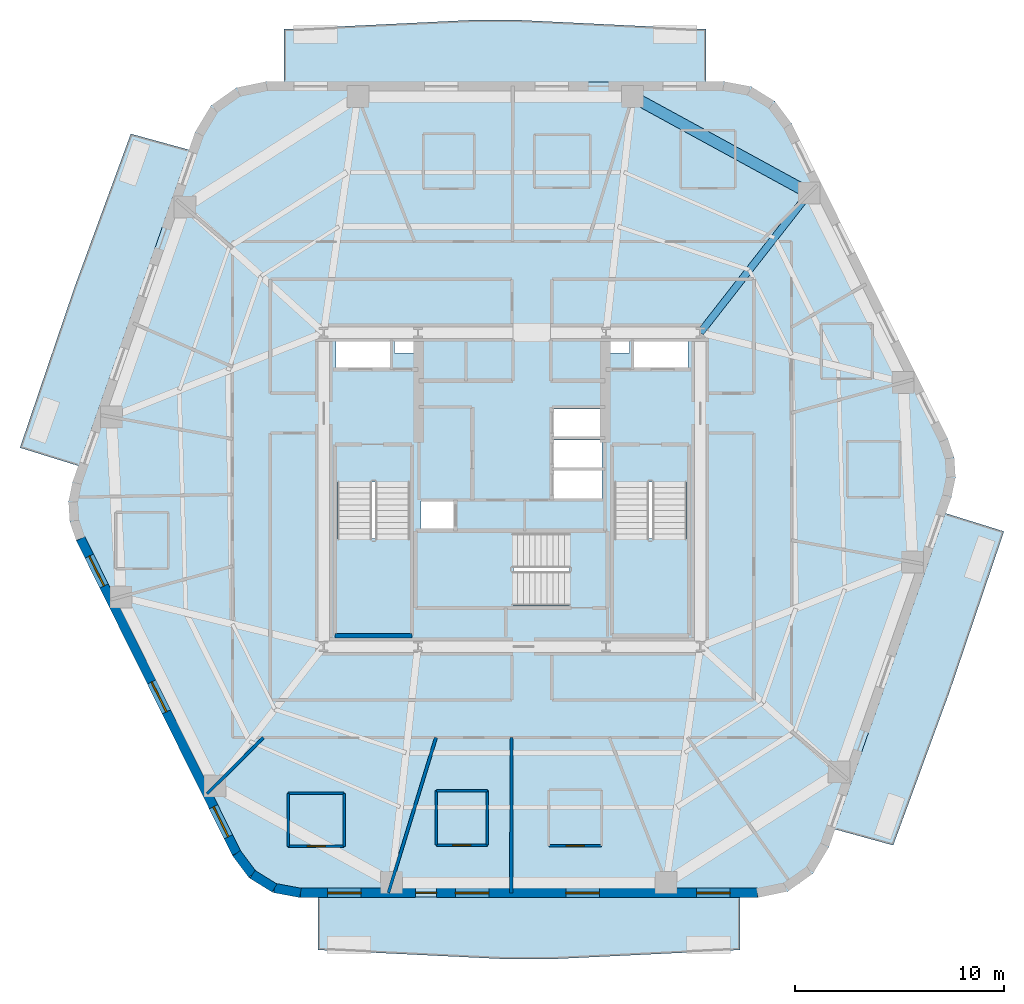
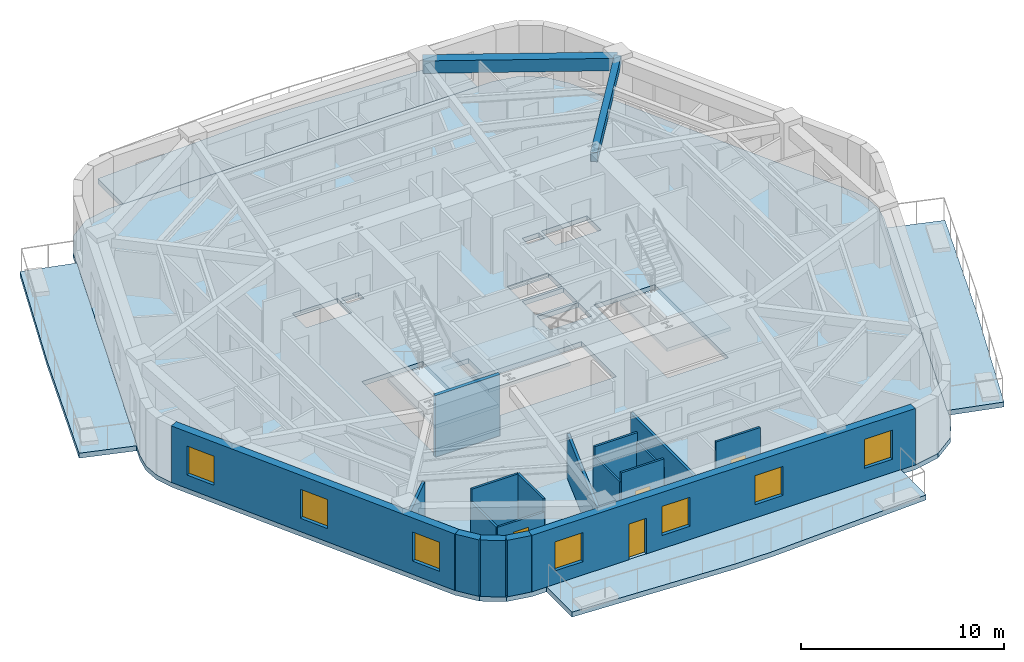
# One storey, part 2 of 11: 18 walls, 8 slabs, 7 windows, 4 doors, 2 beams, 11 openings, 3 elements without a shape of their own.
"""IFC4 building model written with IfcOpenShell, lengths in metres."""

from ifc_helpers import new_model, si_unit, direction, frame, frame_2d, origin, origin_2d, place, context, subcontext, project, spatial, polyline, rectangle, outline, extrude, material, layer, layer_set, material_profile, profile_set, type_object, element, fill, aggregate, save


model = new_model("IFC4")

# Units and contexts
model_context = context("Model", 3, precision=1e-05, world=origin(), true_north=direction((0.0, 1.0)))
body_context = subcontext(model_context, "Body", "Model", "MODEL_VIEW")
ifc_project = project(units=[si_unit("LENGTHUNIT", "METRE"), si_unit("AREAUNIT", "SQUARE_METRE"), si_unit("VOLUMEUNIT", "CUBIC_METRE"), si_unit("PLANEANGLEUNIT", "RADIAN"), si_unit("MASSUNIT", "GRAM", prefix="KILO")], contexts=[model_context])

# Site, building, storey
site_placement = place(None, origin())
site = spatial("IfcSite", under=ifc_project, at=site_placement, CompositionType="ELEMENT")
building_placement = place(site_placement, origin())
building = spatial("IfcBuilding", under=site, at=building_placement, Name="Kilnhurst Terrace Hotel", CompositionType="ELEMENT")
storey_placement = place(building_placement, frame((0.0, 0.0, 162.800048828125)))
storey = spatial("IfcBuildingStorey", under=building, at=storey_placement, Name="L40", CompositionType="ELEMENT", Elevation=162.800048828125)

# Beams
ifc_material_1 = material(Name="Concrete C50/60", Category="concrete")
ifc_material_profile_1 = material_profile(ifc_material_1, rectangle(XDim=0.35009765625, YDim=0.550048828125, at=origin_2d()), Name="RC350X550")
ifc_profile_set_1 = profile_set([ifc_material_profile_1], Name="Concrete C50/60")
beam_type_1 = type_object("IfcBeamType", Name="BM-RAD-350X550", PredefinedType="BEAM", material=ifc_profile_set_1)
beam_1_placement = place(storey_placement, frame((9.0, 7.5, 3.125), z_axis=(0.615370616457, 0.78823791104, 0.0), x_axis=(-0.78823791104, 0.615370616457, 0.0)))
element("IfcBeam", 1, at=beam_1_placement, inside=storey, type_object=beam_type_1, Name="L40 Radial Floor Beam 6", PredefinedType="BEAM", context=body_context, shape_type="SweptSolid", body=[
    extrude(rectangle(XDim=0.35009765625, YDim=0.550048828125, at=origin_2d()), origin(), (0.0, 0.0, 1.0), 8.456787109375),
])
ifc_material_profile_2 = material_profile(ifc_material_1, rectangle(XDim=0.550048828125, YDim=0.75, at=origin_2d()), Name="RC550X750")
ifc_profile_set_2 = profile_set([ifc_material_profile_2], Name="Concrete C50/60")
beam_type_2 = type_object("IfcBeamType", Name="BM-SPN-550X750", PredefinedType="SPANDREL", material=ifc_profile_set_2)
beam_2_placement = place(storey_placement, frame((14.2041015625, 14.166015625, 3.02490234375), z_axis=(-0.87766189723, 0.479280287672, 0.0), x_axis=(-0.479280287672, -0.87766189723, 0.0)))
element("IfcBeam", 2, at=beam_2_placement, inside=storey, type_object=beam_type_2, Name="L40 Perimeter Spandrel Beam 6", PredefinedType="SPANDREL", context=body_context, shape_type="SweptSolid", body=[
    extrude(rectangle(XDim=0.550048828125, YDim=0.75, at=origin_2d()), origin(), (0.0, 0.0, 1.0), 9.626953125),
])

# Slabs
ifc_layer_1 = layer(ifc_material_1, 0.300048828125, Name="Concrete C50/60")
ifc_layer_set_1 = layer_set([ifc_layer_1], Name="Concrete C50/60")
slab_type_1 = type_object("IfcSlabType", Name="SLB-BAL-300", PredefinedType="FLOOR", material=ifc_layer_set_1)
slab_1_placement = place(storey_placement, frame((0.0, 0.0, -0.300048828125)))
element("IfcSlab", 3, at=slab_1_placement, inside=storey, type_object=slab_type_1, Name="L40 Cantilevered Planted Terrace Slab BAL-L1A", PredefinedType="FLOOR", context=body_context, shape_type="SweptSolid", body=[
    extrude(outline(polyline([(1.83642578125, -22.43994140625), (-0.221923828125, -22.43994140625), (-9.279296875, -22.0), (-9.279296875, -19.47998046875), (10.8935546875, -19.47998046875), (10.8935546875, -22.0), (1.83642578125, -22.43994140625)])), origin(), (0.0, 0.0, 1.0), 0.300048828125),
])
slab_2_placement = place(storey_placement, frame((0.0, 0.0, -0.300048828125)))
element("IfcSlab", 4, at=slab_2_placement, inside=storey, type_object=slab_type_1, Name="L40 Cantilevered Planted Terrace Slab BAL-L1B", PredefinedType="FLOOR", context=body_context, shape_type="SweptSolid", body=[
    extrude(outline(polyline([(18.216064453125, -17.0), (15.420654296875, -16.2314453125), (20.708251953125, -1.128662109375), (23.511962890625, -2.0), (20.892333984375, -9.7119140625), (18.216064453125, -17.0)])), origin(), (0.0, 0.0, 1.0), 0.300048828125),
])
slab_3_placement = place(storey_placement, frame((0.0, 0.0, -0.300048828125)))
element("IfcSlab", 5, at=slab_3_placement, inside=storey, type_object=slab_type_1, Name="L40 Cantilevered Planted Terrace Slab BAL-L2A", PredefinedType="FLOOR", context=body_context, shape_type="SweptSolid", body=[
    extrude(outline(polyline([(0.221923828125, 22.43994140625), (9.279296875, 22.0), (9.279296875, 19.47998046875), (-10.8935546875, 19.47998046875), (-10.8935546875, 22.0), (-1.83642578125, 22.43994140625), (0.221923828125, 22.43994140625)])), origin(), (0.0, 0.0, 1.0), 0.300048828125),
])
slab_4_placement = place(storey_placement, frame((0.0, 0.0, -0.300048828125)))
element("IfcSlab", 6, at=slab_4_placement, inside=storey, type_object=slab_type_1, Name="L40 Cantilevered Planted Terrace Slab BAL-L2B", PredefinedType="FLOOR", context=body_context, shape_type="SweptSolid", body=[
    extrude(outline(polyline([(-18.216064453125, 17.0), (-15.420654296875, 16.2314453125), (-20.708251953125, 1.128662109375), (-23.511962890625, 2.0), (-20.892333984375, 9.7119140625), (-18.216064453125, 17.0)])), origin(), (0.0, 0.0, 1.0), 0.300048828125),
])
ifc_layer_2 = layer(ifc_material_1, 0.280029296875, Name="Concrete C50/60")
ifc_layer_set_2 = layer_set([ifc_layer_2], Name="Concrete C50/60")
slab_type_2 = type_object("IfcSlabType", Name="SLB-FLR-280", PredefinedType="FLOOR", material=ifc_layer_set_2)
slab_5_placement = place(storey_placement, frame((0.0, 0.0, -0.280029296875)))
element("IfcSlab", 7, at=slab_5_placement, inside=storey, type_object=slab_type_2, Name="L40 Structural Floor Slab", PredefinedType="FLOOR", context=body_context, shape_type="SweptSolid", body=[
    extrude(outline(polyline([(-13.3544921875, -17.499267578125), (-12.5576171875, -18.5576171875), (-11.431640625, -19.256103515625), (-10.12939453125, -19.5), (11.74365234375, -19.5), (13.18310546875, -19.19970703125), (14.38232421875, -18.348876953125), (15.141357421875, -17.089599609375), (20.9990234375, -0.3583984375), (21.192138671875, 0.57568359375), (21.13330078125, 1.527587890625), (20.82666015625, 2.4306640625), (13.3544921875, 17.499267578125), (12.5576171875, 18.5576171875), (11.431640625, 19.256103515625), (10.12939453125, 19.5), (-11.74365234375, 19.5), (-13.18310546875, 19.19970703125), (-14.38232421875, 18.348876953125), (-15.141357421875, 17.089599609375), (-20.9990234375, 0.3583984375), (-21.192138671875, -0.57568359375), (-21.13330078125, -1.527587890625), (-20.82666015625, -2.4306640625), (-13.3544921875, -17.499267578125)]), holes=[polyline([(2.7548828125, -2.080078125), (2.7548828125, -5.550048828125), (-4.5, -5.550048828125), (-4.5, -2.080078125), (2.7548828125, -2.080078125)]), polyline([(-8.35009765625, 0.35498046875), (-4.8798828125, 0.35498046875), (-4.8798828125, -6.89990234375), (-8.35009765625, -6.89990234375), (-8.35009765625, 0.35498046875)]), polyline([(-2.800048828125, -1.89990234375), (-4.35009765625, -1.89990234375), (-4.35009765625, -0.550048828125), (-2.800048828125, -0.550048828125), (-2.800048828125, -1.89990234375)]), polyline([(1.949951171875, -0.429931640625), (1.949951171875, 0.89990234375), (4.300048828125, 0.89990234375), (4.300048828125, -0.429931640625), (1.949951171875, -0.429931640625)]), polyline([(-8.39990234375, 5.75), (-8.39990234375, 7.14990234375), (-5.800048828125, 7.14990234375), (-5.800048828125, 5.75), (-8.39990234375, 5.75)]), polyline([(-4.659912109375, 6.52001953125), (-5.6201171875, 6.52001953125), (-5.6201171875, 7.080078125), (-4.659912109375, 7.080078125), (-4.659912109375, 6.52001953125)]), polyline([(8.35009765625, 0.35498046875), (8.35009765625, -6.89990234375), (4.8798828125, -6.89990234375), (4.8798828125, 0.35498046875), (8.35009765625, 0.35498046875)]), polyline([(1.949951171875, 1.050048828125), (1.949951171875, 2.3798828125), (4.300048828125, 2.3798828125), (4.300048828125, 1.050048828125), (1.949951171875, 1.050048828125)]), polyline([(4.300048828125, 2.530029296875), (1.949951171875, 2.530029296875), (1.949951171875, 3.860107421875), (4.300048828125, 3.860107421875), (4.300048828125, 2.530029296875)]), polyline([(5.800048828125, 5.75), (5.800048828125, 7.14990234375), (8.39990234375, 7.14990234375), (8.39990234375, 5.75), (5.800048828125, 5.75)]), polyline([(4.659912109375, 6.52001953125), (4.659912109375, 7.080078125), (5.6201171875, 7.080078125), (5.6201171875, 6.52001953125), (4.659912109375, 6.52001953125)])]), origin(), (0.0, 0.0, 1.0), 0.280029296875),
])

# Stair, slab
stair_type = type_object("IfcStairType", Name="STR-CORE-1660", PredefinedType="HALF_TURN_STAIR", material=ifc_material_1)
stair_1_placement = place(storey_placement, origin())
stair_1 = element("IfcStair", 8, at=stair_1_placement, inside=storey, type_object=stair_type, Name="L40 ST-1", PredefinedType="HALF_TURN_STAIR")
ifc_layer_3 = layer(ifc_material_1, 0.199951171875, Name="Concrete C50/60")
ifc_layer_set_3 = layer_set([ifc_layer_3], Name="Concrete C50/60")
slab_type_3 = type_object("IfcSlabType", Name="SLB-ST-LND-200", PredefinedType="LANDING", material=ifc_layer_set_3)
slab_6_placement = place(storey_placement, frame((0.0, 0.0, 1.64990234375)))
slab_6 = element("IfcSlab", 9, at=slab_6_placement, type_object=slab_type_3, Name="ST-1 landing 1", PredefinedType="LANDING", context=body_context, shape_type="SweptSolid", body=[
    extrude(outline(polyline([(-8.429931640625, -2.330078125), (-4.800048828125, -2.330078125), (-4.800048828125, -6.97998046875), (-8.429931640625, -6.97998046875), (-8.429931640625, -2.330078125)])), origin(), (0.0, 0.0, 1.0), 0.199951171875),
])
aggregate(stair_1, [slab_6])

stair_2_placement = place(storey_placement, origin())
stair_2 = element("IfcStair", 10, at=stair_2_placement, inside=storey, type_object=stair_type, Name="L40 ST-2", PredefinedType="HALF_TURN_STAIR")
slab_7_placement = place(storey_placement, frame((0.0, 0.0, 1.64990234375)))
slab_7 = element("IfcSlab", 11, at=slab_7_placement, type_object=slab_type_3, Name="ST-2 landing 1", PredefinedType="LANDING", context=body_context, shape_type="SweptSolid", body=[
    extrude(outline(polyline([(4.800048828125, -2.330078125), (8.429931640625, -2.330078125), (8.429931640625, -6.97998046875), (4.800048828125, -6.97998046875), (4.800048828125, -2.330078125)])), origin(), (0.0, 0.0, 1.0), 0.199951171875),
])
aggregate(stair_2, [slab_7])

stair_3_placement = place(storey_placement, origin())
stair_3 = element("IfcStair", 12, at=stair_3_placement, inside=storey, type_object=stair_type, Name="L40 ST-3", PredefinedType="HALF_TURN_STAIR")
slab_8_placement = place(storey_placement, frame((0.0, 0.0, 1.64990234375)))
slab_8 = element("IfcSlab", 13, at=slab_8_placement, type_object=slab_type_3, Name="ST-3 landing 1", PredefinedType="LANDING", context=body_context, shape_type="SweptSolid", body=[
    extrude(outline(polyline([(0.070068359375, -2.0), (0.070068359375, -5.6298828125), (-4.580078125, -5.6298828125), (-4.580078125, -2.0), (0.070068359375, -2.0)])), origin(), (0.0, 0.0, 1.0), 0.199951171875),
])
aggregate(stair_3, [slab_8])

# Walls
ifc_material_2 = material(Name="Precast concrete C40/50", Category="concrete")
ifc_layer_4 = layer(ifc_material_2, 0.449951171875, Name="Precast concrete C40/50")
ifc_layer_set_4 = layer_set([ifc_layer_4], Name="Precast concrete C40/50")
wall_type_1 = type_object("IfcWallType", Name="WL-BRK-450", PredefinedType="SOLIDWALL", material=ifc_layer_set_4)
wall_1_placement = place(storey_placement, frame((-13.162353515625, -17.380615234375, 0.0), z_axis=(0.0, 0.0, 1.0), x_axis=(0.601515770517, -0.798860925205, 0.0)))
element("IfcWall", 14, at=wall_1_placement, inside=storey, type_object=wall_type_1, Name="L40 Rounded Corner Brick Wall C1.1", PredefinedType="SOLIDWALL", context=body_context, shape_type="SweptSolid", body=[
    extrude(rectangle(XDim=1.261962890625, YDim=0.449951171875, at=frame_2d((0.630859375, 0.0))), origin(), (0.0, 0.0, 1.0), 3.39990234375),
])
wall_2_placement = place(storey_placement, frame((-12.4033203125, -18.388671875, 0.0), z_axis=(0.0, 0.0, 1.0), x_axis=(0.849795170926, -0.527113049991, 0.0)))
element("IfcWall", 15, at=wall_2_placement, inside=storey, type_object=wall_type_1, Name="L40 Rounded Corner Brick Wall C1.2", PredefinedType="SOLIDWALL", context=body_context, shape_type="SweptSolid", body=[
    extrude(rectangle(XDim=1.24072265625, YDim=0.449951171875, at=frame_2d((0.620361328125, 0.0))), origin(), (0.0, 0.0, 1.0), 3.39990234375),
])
wall_3_placement = place(storey_placement, frame((-11.348876953125, -19.042724609375, 0.0), z_axis=(0.0, 0.0, 1.0), x_axis=(0.982931267051, -0.183973161772, 0.0)))
element("IfcWall", 16, at=wall_3_placement, inside=storey, type_object=wall_type_1, Name="L40 Rounded Corner Brick Wall C1.3", PredefinedType="SOLIDWALL", context=body_context, shape_type="SweptSolid", body=[
    extrude(rectangle(XDim=1.261962890625, YDim=0.449951171875, at=frame_2d((0.630859375, 0.0))), origin(), (0.0, 0.0, 1.0), 3.39990234375),
])

# Wall, openings, door, windows
wall_4_placement = place(storey_placement, frame((-10.1083984375, -19.27490234375, 0.0), z_axis=(0.0, 0.0, 1.0), x_axis=(1.0, 0.0, 0.0)))
wall_4 = element("IfcWall", 17, at=wall_4_placement, inside=storey, type_object=wall_type_1, Name="L40 Exterior Brick Facade Wall F1", PredefinedType="SOLIDWALL", context=body_context, shape_type="SweptSolid", body=[
    extrude(rectangle(XDim=21.828857421875, YDim=0.449951171875, at=frame_2d((10.91455078125, 0.0))), origin(), (0.0, 0.0, 1.0), 3.39990234375),
])
opening_1_placement = place(wall_4_placement, frame((5.5029296875, 0.0, 0.0)))
opening_1 = element("IfcOpeningElement", 18, at=opening_1_placement, cuts=wall_4, Name="Opening BD-1000", PredefinedType="OPENING", context=body_context, shape_type="SweptSolid", body=[
    extrude(rectangle(XDim=1.0, YDim=2.14990234375, at=frame_2d((0.5, 1.074951171875))), frame((0.0, 0.23486328125, 0.0), z_axis=(0.0, -1.0, 0.0), x_axis=(1.0, 0.0, 0.0)), (0.0, 0.0, 1.0), 0.469970703125),
])
opening_2_placement = place(wall_4_placement, frame((1.297119140625, 0.0, 0.800048828125)))
opening_2 = element("IfcOpeningElement", 19, at=opening_2_placement, cuts=wall_4, Name="Opening W-05", PredefinedType="OPENING", context=body_context, shape_type="SweptSolid", body=[
    extrude(rectangle(XDim=1.60009765625, YDim=1.75, at=frame_2d((0.800048828125, 0.875))), frame((0.0, 0.23486328125, 0.0), z_axis=(0.0, -1.0, 0.0), x_axis=(1.0, 0.0, 0.0)), (0.0, 0.0, 1.0), 0.469970703125),
])
opening_3_placement = place(wall_4_placement, frame((7.402099609375, 0.0, 0.800048828125)))
opening_3 = element("IfcOpeningElement", 20, at=opening_3_placement, cuts=wall_4, Name="Opening W-05", PredefinedType="OPENING", context=body_context, shape_type="SweptSolid", body=[
    extrude(rectangle(XDim=1.60009765625, YDim=1.75, at=frame_2d((0.800048828125, 0.875))), frame((0.0, 0.23486328125, 0.0), z_axis=(0.0, -1.0, 0.0), x_axis=(1.0, 0.0, 0.0)), (0.0, 0.0, 1.0), 0.469970703125),
])
opening_4_placement = place(wall_4_placement, frame((12.68408203125, 0.0, 0.800048828125)))
opening_4 = element("IfcOpeningElement", 21, at=opening_4_placement, cuts=wall_4, Name="Opening W-05", PredefinedType="OPENING", context=body_context, shape_type="SweptSolid", body=[
    extrude(rectangle(XDim=1.60009765625, YDim=1.75, at=frame_2d((0.800048828125, 0.875))), frame((0.0, 0.23486328125, 0.0), z_axis=(0.0, -1.0, 0.0), x_axis=(1.0, 0.0, 0.0)), (0.0, 0.0, 1.0), 0.469970703125),
])
opening_5_placement = place(wall_4_placement, frame((18.93310546875, 0.0, 0.800048828125)))
opening_5 = element("IfcOpeningElement", 22, at=opening_5_placement, cuts=wall_4, Name="Opening W-05", PredefinedType="OPENING", context=body_context, shape_type="SweptSolid", body=[
    extrude(rectangle(XDim=1.60009765625, YDim=1.75, at=frame_2d((0.800048828125, 0.875))), frame((0.0, 0.23486328125, 0.0), z_axis=(0.0, -1.0, 0.0), x_axis=(1.0, 0.0, 0.0)), (0.0, 0.0, 1.0), 0.469970703125),
])
ifc_material_3 = material(Name="Thermally Broken Bronze Aluminium Alloy 6063-T6 and Laminated Glass", Category="aluminium")
door_type_1 = type_object("IfcDoorType", Name="DR-EXT-BAL-1000", OperationType="NOTDEFINED", PredefinedType="DOOR", material=ifc_material_3)
door_1_placement = place(opening_1_placement, origin())
door_1 = element("IfcDoor", 23, at=door_1_placement, inside=storey, type_object=door_type_1, Name="L40 Planted Balcony Door BAL-L1A", OperationType="SINGLE_SWING_LEFT", OverallHeight=2.14990234375, OverallWidth=1.0, PredefinedType="DOOR", context=body_context, shape_type="SweptSolid", body=[
    extrude(rectangle(XDim=1.0, YDim=2.14990234375, at=frame_2d((0.5, 1.074951171875))), frame((0.0, 0.02490234375, 0.0), z_axis=(0.0, -1.0, 0.0), x_axis=(1.0, 0.0, 0.0)), (0.0, 0.0, 1.0), 0.050048828125),
])
fill(opening_1, door_1)
ifc_material_4 = material(Name="Thermally Broken Bronze Aluminium Alloy 6063-T6 and Low-E Glass", Category="aluminium")
window_type = type_object("IfcWindowType", Name="WIN-1600X1750", PartitioningType="SINGLE_PANEL", PredefinedType="WINDOW", material=ifc_material_4)
window_1_placement = place(opening_2_placement, origin())
window_1 = element("IfcWindow", 24, at=window_1_placement, inside=storey, type_object=window_type, Name="L40 Deep-Set Masonry Window F1.1", OverallHeight=1.75, OverallWidth=1.60009765625, PartitioningType="SINGLE_PANEL", PredefinedType="WINDOW", context=body_context, shape_type="SweptSolid", body=[
    extrude(rectangle(XDim=1.60009765625, YDim=1.75, at=frame_2d((0.800048828125, 0.875))), frame((0.0, 0.030029296875, 0.0), z_axis=(0.0, -1.0, 0.0), x_axis=(1.0, 0.0, 0.0)), (0.0, 0.0, 1.0), 0.06005859375),
])
fill(opening_2, window_1)
window_2_placement = place(opening_3_placement, origin())
window_2 = element("IfcWindow", 25, at=window_2_placement, inside=storey, type_object=window_type, Name="L40 Deep-Set Masonry Window F1.2", OverallHeight=1.75, OverallWidth=1.60009765625, PartitioningType="SINGLE_PANEL", PredefinedType="WINDOW", context=body_context, shape_type="SweptSolid", body=[
    extrude(rectangle(XDim=1.60009765625, YDim=1.75, at=frame_2d((0.800048828125, 0.875))), frame((0.0, 0.030029296875, 0.0), z_axis=(0.0, -1.0, 0.0), x_axis=(1.0, 0.0, 0.0)), (0.0, 0.0, 1.0), 0.06005859375),
])
fill(opening_3, window_2)
window_3_placement = place(opening_4_placement, origin())
window_3 = element("IfcWindow", 26, at=window_3_placement, inside=storey, type_object=window_type, Name="L40 Deep-Set Masonry Window F1.3", OverallHeight=1.75, OverallWidth=1.60009765625, PartitioningType="SINGLE_PANEL", PredefinedType="WINDOW", context=body_context, shape_type="SweptSolid", body=[
    extrude(rectangle(XDim=1.60009765625, YDim=1.75, at=frame_2d((0.800048828125, 0.875))), frame((0.0, 0.030029296875, 0.0), z_axis=(0.0, -1.0, 0.0), x_axis=(1.0, 0.0, 0.0)), (0.0, 0.0, 1.0), 0.06005859375),
])
fill(opening_4, window_3)
window_4_placement = place(opening_5_placement, origin())
window_4 = element("IfcWindow", 27, at=window_4_placement, inside=storey, type_object=window_type, Name="L40 Deep-Set Masonry Window F1.4", OverallHeight=1.75, OverallWidth=1.60009765625, PartitioningType="SINGLE_PANEL", PredefinedType="WINDOW", context=body_context, shape_type="SweptSolid", body=[
    extrude(rectangle(XDim=1.60009765625, YDim=1.75, at=frame_2d((0.800048828125, 0.875))), frame((0.0, 0.030029296875, 0.0), z_axis=(0.0, -1.0, 0.0), x_axis=(1.0, 0.0, 0.0)), (0.0, 0.0, 1.0), 0.06005859375),
])
fill(opening_5, window_4)

# Wall, openings, windows
wall_5_placement = place(storey_placement, frame((-20.618408203125, -2.343994140625, 0.0), z_axis=(0.0, 0.0, 1.0), x_axis=(0.444243691097, -0.895905990002, 0.0)))
wall_5 = element("IfcWall", 28, at=wall_5_placement, inside=storey, type_object=wall_type_1, Name="L40 Exterior Brick Facade Wall F6", PredefinedType="SOLIDWALL", context=body_context, shape_type="SweptSolid", body=[
    extrude(rectangle(XDim=16.78369140625, YDim=0.449951171875, at=frame_2d((8.391845703125, 0.0))), origin(), (0.0, 0.0, 1.0), 3.39990234375),
])
opening_6_placement = place(wall_5_placement, frame((0.930908203125, 0.0, 0.800048828125)))
opening_6 = element("IfcOpeningElement", 29, at=opening_6_placement, cuts=wall_5, Name="Opening W-05", PredefinedType="OPENING", context=body_context, shape_type="SweptSolid", body=[
    extrude(rectangle(XDim=1.60009765625, YDim=1.75, at=frame_2d((0.800048828125, 0.875))), frame((0.0, 0.23486328125, 0.0), z_axis=(0.0, -1.0, 0.0), x_axis=(1.0, 0.0, 0.0)), (0.0, 0.0, 1.0), 0.469970703125),
])
opening_7_placement = place(wall_5_placement, frame((7.64208984375, 0.0, 0.800048828125)))
opening_7 = element("IfcOpeningElement", 30, at=opening_7_placement, cuts=wall_5, Name="Opening W-05", PredefinedType="OPENING", context=body_context, shape_type="SweptSolid", body=[
    extrude(rectangle(XDim=1.60009765625, YDim=1.75, at=frame_2d((0.800048828125, 0.875))), frame((0.0, 0.23486328125, 0.0), z_axis=(0.0, -1.0, 0.0), x_axis=(1.0, 0.0, 0.0)), (0.0, 0.0, 1.0), 0.469970703125),
])
opening_8_placement = place(wall_5_placement, frame((14.302978515625, 0.0, 0.800048828125)))
opening_8 = element("IfcOpeningElement", 31, at=opening_8_placement, cuts=wall_5, Name="Opening W-05", PredefinedType="OPENING", context=body_context, shape_type="SweptSolid", body=[
    extrude(rectangle(XDim=1.60009765625, YDim=1.75, at=frame_2d((0.800048828125, 0.875))), frame((0.0, 0.23486328125, 0.0), z_axis=(0.0, -1.0, 0.0), x_axis=(1.0, 0.0, 0.0)), (0.0, 0.0, 1.0), 0.469970703125),
])
window_5_placement = place(opening_6_placement, origin())
window_5 = element("IfcWindow", 32, at=window_5_placement, inside=storey, type_object=window_type, Name="L40 Deep-Set Masonry Window F6.1", OverallHeight=1.75, OverallWidth=1.60009765625, PartitioningType="SINGLE_PANEL", PredefinedType="WINDOW", context=body_context, shape_type="SweptSolid", body=[
    extrude(rectangle(XDim=1.60009765625, YDim=1.75, at=frame_2d((0.800048828125, 0.875))), frame((0.0, 0.030029296875, 0.0), z_axis=(0.0, -1.0, 0.0), x_axis=(1.0, 0.0, 0.0)), (0.0, 0.0, 1.0), 0.06005859375),
])
fill(opening_6, window_5)
window_6_placement = place(opening_7_placement, origin())
window_6 = element("IfcWindow", 33, at=window_6_placement, inside=storey, type_object=window_type, Name="L40 Deep-Set Masonry Window F6.2", OverallHeight=1.75, OverallWidth=1.60009765625, PartitioningType="SINGLE_PANEL", PredefinedType="WINDOW", context=body_context, shape_type="SweptSolid", body=[
    extrude(rectangle(XDim=1.60009765625, YDim=1.75, at=frame_2d((0.800048828125, 0.875))), frame((0.0, 0.030029296875, 0.0), z_axis=(0.0, -1.0, 0.0), x_axis=(1.0, 0.0, 0.0)), (0.0, 0.0, 1.0), 0.06005859375),
])
fill(opening_7, window_6)
window_7_placement = place(opening_8_placement, origin())
window_7 = element("IfcWindow", 34, at=window_7_placement, inside=storey, type_object=window_type, Name="L40 Deep-Set Masonry Window F6.3", OverallHeight=1.75, OverallWidth=1.60009765625, PartitioningType="SINGLE_PANEL", PredefinedType="WINDOW", context=body_context, shape_type="SweptSolid", body=[
    extrude(rectangle(XDim=1.60009765625, YDim=1.75, at=frame_2d((0.800048828125, 0.875))), frame((0.0, 0.030029296875, 0.0), z_axis=(0.0, -1.0, 0.0), x_axis=(1.0, 0.0, 0.0)), (0.0, 0.0, 1.0), 0.06005859375),
])
fill(opening_8, window_7)

# Walls
ifc_material_5 = material(Name="STC-58 Acoustic Twin-Frame Guestroom Demising Partition")
ifc_layer_5 = layer(ifc_material_5, 0.14990234375, Name="STC-58 Acoustic Twin-Frame Guestroom Demising Partition")
ifc_layer_set_5 = layer_set([ifc_layer_5], Name="STC-58 Acoustic Twin-Frame Guestroom Demising Partition")
wall_type_2 = type_object("IfcWallType", Name="WL-DEM-150", PredefinedType="PARTITIONING", material=ifc_layer_set_5)
wall_6_placement = place(storey_placement, frame((-11.8818359375, -11.85009765625, 0.0), z_axis=(0.0, 0.0, 1.0), x_axis=(-0.708037373639, -0.706174962407, 0.0)))
element("IfcWall", 35, at=wall_6_placement, inside=storey, type_object=wall_type_2, Name="L40 Interior Wall WL-L40-DEM-COL08-12-1", PredefinedType="PARTITIONING", context=body_context, shape_type="SweptSolid", body=[
    extrude(rectangle(XDim=3.801513671875, YDim=0.14990234375, at=frame_2d((1.90087890625, 0.0))), origin(), (0.0, 0.0, 1.0), 2.639892578125),
])
wall_7_placement = place(storey_placement, frame((-3.63134765625, -11.85009765625, 0.0), z_axis=(0.0, 0.0, 1.0), x_axis=(-0.293007573338, -0.956110120209, 0.0)))
element("IfcWall", 36, at=wall_7_placement, inside=storey, type_object=wall_type_2, Name="L40 Interior Wall WL-L40-DEM-COL09-13-1", PredefinedType="PARTITIONING", context=body_context, shape_type="SweptSolid", body=[
    extrude(rectangle(XDim=7.765625, YDim=0.14990234375, at=frame_2d((3.8828125, 0.0))), origin(), (0.0, 0.0, 1.0), 2.639892578125),
])
wall_8_placement = place(storey_placement, frame((-0.023681640625, -11.85009765625, 0.0), z_axis=(0.0, 0.0, 1.0), x_axis=(-0.001972901592, -0.999998053828, 0.0)))
element("IfcWall", 37, at=wall_8_placement, inside=storey, type_object=wall_type_2, Name="L40 Interior Wall WL-L40-DEM-MID09-14-1", PredefinedType="PARTITIONING", context=body_context, shape_type="SweptSolid", body=[
    extrude(rectangle(XDim=7.4248046875, YDim=0.14990234375, at=frame_2d((3.71240234375, 0.0))), origin(), (0.0, 0.0, 1.0), 2.639892578125),
])

# Wall, opening, door
ifc_material_6 = material(Name="120 mm Moisture-Resistant Tile-Backed Bathroom Partition")
ifc_layer_6 = layer(ifc_material_6, 0.1201171875, Name="120 mm Moisture-Resistant Tile-Backed Bathroom Partition")
ifc_layer_set_6 = layer_set([ifc_layer_6], Name="120 mm Moisture-Resistant Tile-Backed Bathroom Partition")
wall_type_3 = type_object("IfcWallType", Name="WL-PART-120", PredefinedType="PARTITIONING", material=ifc_layer_set_6)
wall_9_placement = place(storey_placement, frame((-10.697998046875, -17.055908203125, 0.0), z_axis=(0.0, 0.0, 1.0), x_axis=(1.0, 0.0, 0.0)))
wall_9 = element("IfcWall", 38, at=wall_9_placement, inside=storey, type_object=wall_type_3, Name="L40 Interior Wall WL-L40-BTH-12-1", PredefinedType="PARTITIONING", context=body_context, shape_type="SweptSolid", body=[
    extrude(rectangle(XDim=2.679931640625, YDim=0.1201171875, at=frame_2d((1.33984375, 0.0))), origin(), (0.0, 0.0, 1.0), 2.639892578125),
])
opening_9_placement = place(wall_9_placement, frame((0.9150390625, 0.0, 0.0)))
opening_9 = element("IfcOpeningElement", 39, at=opening_9_placement, cuts=wall_9, Name="Opening D-08A", PredefinedType="OPENING", context=body_context, shape_type="SweptSolid", body=[
    extrude(rectangle(XDim=0.85009765625, YDim=2.030029296875, at=frame_2d((0.425048828125, 1.01513671875))), frame((0.0, 0.070068359375, 0.0), z_axis=(0.0, -1.0, 0.0), x_axis=(1.0, 0.0, 0.0)), (0.0, 0.0, 1.0), 0.14013671875),
])
ifc_material_7 = material(Name="Moisture-Resistant Lacquered En-suite Bathroom Door")
door_type_2 = type_object("IfcDoorType", Name="DR-INT-850", OperationType="NOTDEFINED", PredefinedType="DOOR", material=ifc_material_7)
door_2_placement = place(opening_9_placement, origin())
door_2 = element("IfcDoor", 40, at=door_2_placement, inside=storey, type_object=door_type_2, Name="L40 En-suite Bathroom Door 12", OperationType="SINGLE_SWING_LEFT", OverallHeight=2.030029296875, OverallWidth=0.85009765625, PredefinedType="DOOR", context=body_context, shape_type="SweptSolid", body=[
    extrude(rectangle(XDim=0.85009765625, YDim=2.030029296875, at=frame_2d((0.425048828125, 1.01513671875))), frame((0.0, 0.02490234375, 0.0), z_axis=(0.0, -1.0, 0.0), x_axis=(1.0, 0.0, 0.0)), (0.0, 0.0, 1.0), 0.050048828125),
])
fill(opening_9, door_2)

# Walls
wall_10_placement = place(storey_placement, frame((-8.01806640625, -17.055908203125, 0.0), z_axis=(0.0, 0.0, 1.0), x_axis=(0.0, 1.0, 0.0)))
element("IfcWall", 41, at=wall_10_placement, inside=storey, type_object=wall_type_3, Name="L40 Interior Wall WL-L40-BTH-12-2", PredefinedType="PARTITIONING", context=body_context, shape_type="SweptSolid", body=[
    extrude(rectangle(XDim=2.539794921875, YDim=0.1201171875, at=frame_2d((1.27001953125, 0.0))), origin(), (0.0, 0.0, 1.0), 3.39990234375),
])
wall_11_placement = place(storey_placement, frame((-8.01806640625, -14.51611328125, 0.0), z_axis=(0.0, 0.0, 1.0), x_axis=(-1.0, 0.0, 0.0)))
element("IfcWall", 42, at=wall_11_placement, inside=storey, type_object=wall_type_3, Name="L40 Interior Wall WL-L40-BTH-12-3", PredefinedType="PARTITIONING", context=body_context, shape_type="SweptSolid", body=[
    extrude(rectangle(XDim=2.679931640625, YDim=0.1201171875, at=frame_2d((1.33984375, 0.0))), origin(), (0.0, 0.0, 1.0), 3.39990234375),
])
wall_12_placement = place(storey_placement, frame((-10.697998046875, -14.51611328125, 0.0), z_axis=(0.0, 0.0, 1.0), x_axis=(0.0, -1.0, 0.0)))
element("IfcWall", 43, at=wall_12_placement, inside=storey, type_object=wall_type_3, Name="L40 Interior Wall WL-L40-BTH-12-4", PredefinedType="PARTITIONING", context=body_context, shape_type="SweptSolid", body=[
    extrude(rectangle(XDim=2.539794921875, YDim=0.1201171875, at=frame_2d((1.27001953125, 0.0))), origin(), (0.0, 0.0, 1.0), 2.639892578125),
])

# Wall, opening, door
wall_13_placement = place(storey_placement, frame((-3.614990234375, -16.992919921875, 0.0), z_axis=(0.0, 0.0, 1.0), x_axis=(1.0, 0.0, 0.0)))
wall_13 = element("IfcWall", 44, at=wall_13_placement, inside=storey, type_object=wall_type_3, Name="L40 Interior Wall WL-L40-BTH-13-1", PredefinedType="PARTITIONING", context=body_context, shape_type="SweptSolid", body=[
    extrude(rectangle(XDim=2.43994140625, YDim=0.1201171875, at=frame_2d((1.219970703125, 0.0))), origin(), (0.0, 0.0, 1.0), 3.39990234375),
])
opening_10_placement = place(wall_13_placement, frame((0.794921875, 0.0, 0.0)))
opening_10 = element("IfcOpeningElement", 45, at=opening_10_placement, cuts=wall_13, Name="Opening D-08A", PredefinedType="OPENING", context=body_context, shape_type="SweptSolid", body=[
    extrude(rectangle(XDim=0.85009765625, YDim=2.030029296875, at=frame_2d((0.425048828125, 1.01513671875))), frame((0.0, 0.070068359375, 0.0), z_axis=(0.0, -1.0, 0.0), x_axis=(1.0, 0.0, 0.0)), (0.0, 0.0, 1.0), 0.14013671875),
])
door_3_placement = place(opening_10_placement, origin())
door_3 = element("IfcDoor", 46, at=door_3_placement, inside=storey, type_object=door_type_2, Name="L40 En-suite Bathroom Door 13", OperationType="SINGLE_SWING_RIGHT", OverallHeight=2.030029296875, OverallWidth=0.85009765625, PredefinedType="DOOR", context=body_context, shape_type="SweptSolid", body=[
    extrude(rectangle(XDim=0.85009765625, YDim=2.030029296875, at=frame_2d((0.425048828125, 1.01513671875))), frame((0.0, 0.02490234375, 0.0), z_axis=(0.0, -1.0, 0.0), x_axis=(1.0, 0.0, 0.0)), (0.0, 0.0, 1.0), 0.050048828125),
])
fill(opening_10, door_3)

# Walls
wall_14_placement = place(storey_placement, frame((-1.175048828125, -16.992919921875, 0.0), z_axis=(0.0, 0.0, 1.0), x_axis=(0.0, 1.0, 0.0)))
element("IfcWall", 47, at=wall_14_placement, inside=storey, type_object=wall_type_3, Name="L40 Interior Wall WL-L40-BTH-13-2", PredefinedType="PARTITIONING", context=body_context, shape_type="SweptSolid", body=[
    extrude(rectangle(XDim=2.60986328125, YDim=0.1201171875, at=frame_2d((1.304931640625, 0.0))), origin(), (0.0, 0.0, 1.0), 2.84033203125),
])
wall_15_placement = place(storey_placement, frame((-1.175048828125, -14.383056640625, 0.0), z_axis=(0.0, 0.0, 1.0), x_axis=(-1.0, 0.0, 0.0)))
element("IfcWall", 48, at=wall_15_placement, inside=storey, type_object=wall_type_3, Name="L40 Interior Wall WL-L40-BTH-13-3", PredefinedType="PARTITIONING", context=body_context, shape_type="SweptSolid", body=[
    extrude(rectangle(XDim=2.43994140625, YDim=0.1201171875, at=frame_2d((1.219970703125, 0.0))), origin(), (0.0, 0.0, 1.0), 3.39990234375),
])
wall_16_placement = place(storey_placement, frame((-3.614990234375, -14.383056640625, 0.0), z_axis=(0.0, 0.0, 1.0), x_axis=(0.0, -1.0, 0.0)))
element("IfcWall", 49, at=wall_16_placement, inside=storey, type_object=wall_type_3, Name="L40 Interior Wall WL-L40-BTH-13-4", PredefinedType="PARTITIONING", context=body_context, shape_type="SweptSolid", body=[
    extrude(rectangle(XDim=2.60986328125, YDim=0.1201171875, at=frame_2d((1.304931640625, 0.0))), origin(), (0.0, 0.0, 1.0), 2.84033203125),
])

# Wall, opening, door
wall_17_placement = place(storey_placement, frame((1.762939453125, -17.028076171875, 0.0), z_axis=(0.0, 0.0, 1.0), x_axis=(1.0, 0.0, 0.0)))
wall_17 = element("IfcWall", 50, at=wall_17_placement, inside=storey, type_object=wall_type_3, Name="L40 Interior Wall WL-L40-BTH-14-1", PredefinedType="PARTITIONING", context=body_context, shape_type="SweptSolid", body=[
    extrude(rectangle(XDim=2.52001953125, YDim=0.1201171875, at=frame_2d((1.260009765625, 0.0))), origin(), (0.0, 0.0, 1.0), 3.39990234375),
])
opening_11_placement = place(wall_17_placement, frame((0.8349609375, 0.0, 0.0)))
opening_11 = element("IfcOpeningElement", 51, at=opening_11_placement, cuts=wall_17, Name="Opening D-08A", PredefinedType="OPENING", context=body_context, shape_type="SweptSolid", body=[
    extrude(rectangle(XDim=0.85009765625, YDim=2.030029296875, at=frame_2d((0.425048828125, 1.01513671875))), frame((0.0, 0.070068359375, 0.0), z_axis=(0.0, -1.0, 0.0), x_axis=(1.0, 0.0, 0.0)), (0.0, 0.0, 1.0), 0.14013671875),
])
door_4_placement = place(opening_11_placement, origin())
door_4 = element("IfcDoor", 52, at=door_4_placement, inside=storey, type_object=door_type_2, Name="L40 En-suite Bathroom Door 14", OperationType="SINGLE_SWING_LEFT", OverallHeight=2.030029296875, OverallWidth=0.85009765625, PredefinedType="DOOR", context=body_context, shape_type="SweptSolid", body=[
    extrude(rectangle(XDim=0.85009765625, YDim=2.030029296875, at=frame_2d((0.425048828125, 1.01513671875))), frame((0.0, 0.02490234375, 0.0), z_axis=(0.0, -1.0, 0.0), x_axis=(1.0, 0.0, 0.0)), (0.0, 0.0, 1.0), 0.050048828125),
])
fill(opening_11, door_4)

# Wall
ifc_layer_7 = layer(ifc_material_1, 0.199951171875, Name="Concrete C50/60")
ifc_layer_set_7 = layer_set([ifc_layer_7], Name="Concrete C50/60")
wall_type_4 = type_object("IfcWallType", Name="WL-STAIR-RC-200", PredefinedType="SHEAR", material=ifc_layer_set_7)
wall_18_placement = place(storey_placement, frame((-8.4580078125, -6.985107421875, 0.0), z_axis=(0.0, 0.0, 1.0), x_axis=(1.0, 0.0, 0.0)))
element("IfcWall", 53, at=wall_18_placement, inside=storey, type_object=wall_type_4, Name="L40 Structural Stair Shaft Wall WL-L40-ST1-S", PredefinedType="SHEAR", context=body_context, shape_type="SweptSolid", body=[
    extrude(rectangle(XDim=3.68603515625, YDim=0.199951171875, at=frame_2d((1.843017578125, 0.0))), origin(), (0.0, 0.0, 1.0), 3.699951171875),
])

save(model, "model.ifc")
